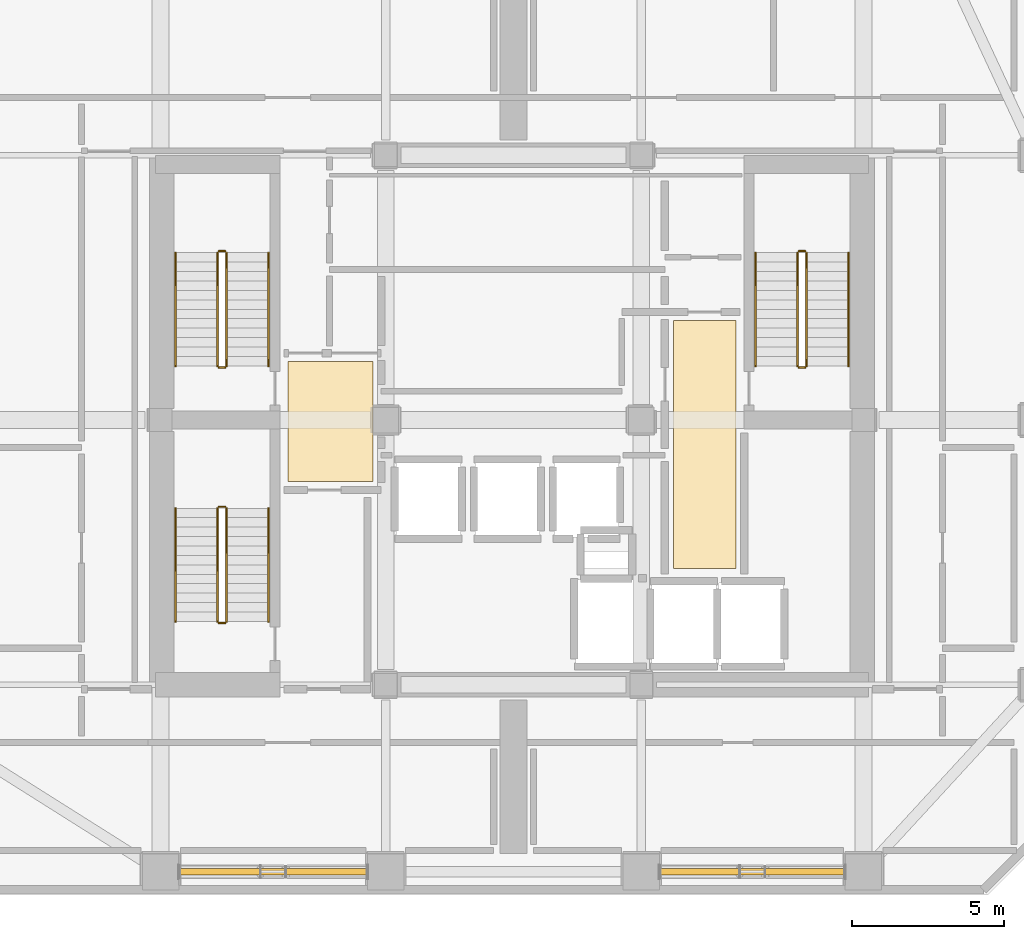
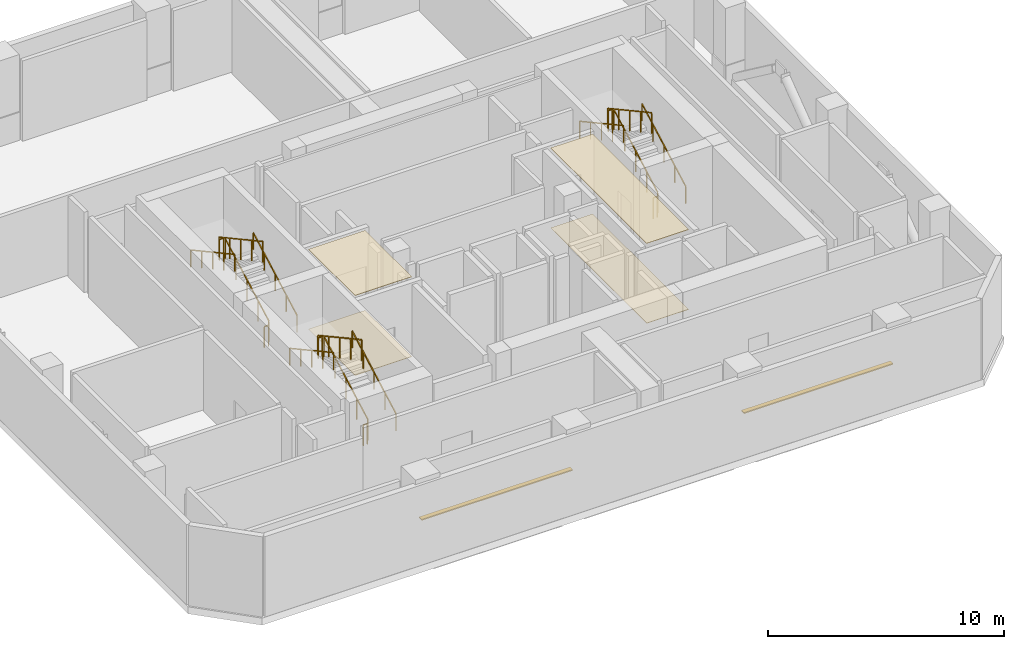
# One storey, part 12 of 12: 18 railings, 4 coverings, 2 shading devices.
"""IFC4 building model written with IfcOpenShell, lengths in metres."""

from ifc_helpers import new_model, si_unit, direction, frame, origin, origin_2d, place, context, subcontext, project, spatial, polyline, rectangle, outline, extrude, material, layer, layer_set, type_object, element, save


model = new_model("IFC4")

# Units and contexts
model_context = context("Model", 3, precision=1e-05, world=origin(), true_north=direction((0.0, 1.0)))
body_context = subcontext(model_context, "Body", "Model", "MODEL_VIEW")
ifc_project = project(units=[si_unit("LENGTHUNIT", "METRE"), si_unit("AREAUNIT", "SQUARE_METRE"), si_unit("VOLUMEUNIT", "CUBIC_METRE"), si_unit("PLANEANGLEUNIT", "RADIAN"), si_unit("MASSUNIT", "GRAM", prefix="KILO")], contexts=[model_context])

# Site, building, storey
site_placement = place(None, origin())
site = spatial("IfcSite", under=ifc_project, at=site_placement, CompositionType="ELEMENT")
building_placement = place(site_placement, origin())
building = spatial("IfcBuilding", under=site, at=building_placement, Name="Solanera Arch Residences", CompositionType="ELEMENT")
storey_placement = place(building_placement, frame((0.0, 0.0, 172.47998046875)))
storey = spatial("IfcBuildingStorey", under=building, at=storey_placement, Name="L50", CompositionType="ELEMENT", Elevation=172.47998046875)

# Coverings
ifc_material_1 = material(Name="Porcelain Acoustic Floor Tile", Category="ceramic")
ifc_layer_1 = layer(ifc_material_1, 0.02001953125)
ifc_layer_set_1 = layer_set([ifc_layer_1], Name="Porcelain Acoustic Floor Tile")
covering_type_1 = type_object("IfcCoveringType", Name="Porcelain Acoustic Floor Finish FLR-20", PredefinedType="FLOORING", material=ifc_layer_set_1)
covering_1_placement = place(storey_placement, origin())
element("IfcCovering", 1, at=covering_1_placement, inside=storey, type_object=covering_type_1, Name="L50-FFL-W Porcelain Floor Finish", PredefinedType="FLOORING", context=body_context, shape_type="SweptSolid", body=[
    extrude(outline(polyline([(20.375, 28.675048828125), (17.594970703125, 28.675048828125), (17.594970703125, 32.625), (20.375, 32.625), (20.375, 28.675048828125)])), origin(), (0.0, 0.0, 1.0), 0.02001953125),
])
covering_2_placement = place(storey_placement, origin())
element("IfcCovering", 2, at=covering_2_placement, inside=storey, type_object=covering_type_1, Name="L50-FFL-E Porcelain Floor Finish", PredefinedType="FLOORING", context=body_context, shape_type="SweptSolid", body=[
    extrude(outline(polyline([(32.304931640625, 25.824951171875), (30.25, 25.824951171875), (30.25, 33.97509765625), (32.304931640625, 33.97509765625), (32.304931640625, 25.824951171875)])), origin(), (0.0, 0.0, 1.0), 0.02001953125),
])

# Railings
ifc_material_2 = material(Name="Steel S355 (ASTM A992 / A572 Grade 50)", Category="steel")
railing_type_1 = type_object("IfcRailingType", Name="Stair Guardrail GR-1100", PredefinedType="GUARDRAIL", material=ifc_material_2)
railing_1_placement = place(storey_placement, frame((15.570068359375, 32.47998046875, 0.154296875)))
element("IfcRailing", 3, at=railing_1_placement, inside=storey, type_object=railing_type_1, Name="L50 ST-T1 stair guard 1", PredefinedType="GUARDRAIL", context=body_context, shape_type="SweptSolid", body=[
    extrude(rectangle(XDim=0.048095703125, YDim=0.048095703125, at=origin_2d()), frame((0.0, 0.0, 1.076171875), z_axis=(0.0, 0.877728207833, 0.479158839191), x_axis=(-1.0, 0.0, 0.0)), (0.0, 0.0, 1.0), 4.23828125),
    extrude(rectangle(XDim=0.0419921875, YDim=0.0419921875, at=origin_2d()), origin(), (0.0, 0.0, 1.0), 1.052001953125),
    extrude(rectangle(XDim=0.0419921875, YDim=0.0419921875, at=origin_2d()), frame((0.0, 0.929931640625, 0.5078125)), (0.0, 0.0, 1.0), 1.052001953125),
    extrude(rectangle(XDim=0.0419921875, YDim=0.0419921875, at=origin_2d()), frame((0.0, 1.85986328125, 1.015380859375)), (0.0, 0.0, 1.0), 1.052001953125),
    extrude(rectangle(XDim=0.0419921875, YDim=0.0419921875, at=origin_2d()), frame((0.0, 2.7900390625, 1.52294921875)), (0.0, 0.0, 1.0), 1.052001953125),
    extrude(rectangle(XDim=0.0419921875, YDim=0.0419921875, at=origin_2d()), frame((0.0, 3.719970703125, 2.03076171875)), (0.0, 0.0, 1.0), 1.052001953125),
])
railing_2_placement = place(storey_placement, frame((15.52001953125, 36.25, 2.18505859375)))
element("IfcRailing", 4, at=railing_2_placement, inside=storey, type_object=railing_type_1, Name="L50 ST-T1 stair guard 2", PredefinedType="GUARDRAIL", context=body_context, shape_type="SweptSolid", body=[
    extrude(rectangle(XDim=0.048095703125, YDim=0.048095703125, at=origin_2d()), frame((0.0, 0.0, 1.076171875), z_axis=(-1.0, 0.0, 0.0), x_axis=(0.0, -1.0, 0.0)), (0.0, 0.0, 1.0), 0.199951171875),
    extrude(rectangle(XDim=0.0419921875, YDim=0.0419921875, at=origin_2d()), origin(), (0.0, 0.0, 1.0), 1.052001953125),
    extrude(rectangle(XDim=0.0419921875, YDim=0.0419921875, at=origin_2d()), frame((-0.199951171875, 0.0, 0.0)), (0.0, 0.0, 1.0), 1.052001953125),
])
railing_3_placement = place(storey_placement, frame((15.27001953125, 36.199951171875, 2.354248046875)))
element("IfcRailing", 5, at=railing_3_placement, inside=storey, type_object=railing_type_1, Name="L50 ST-T1 stair guard 3", PredefinedType="GUARDRAIL", context=body_context, shape_type="SweptSolid", body=[
    extrude(rectangle(XDim=0.048095703125, YDim=0.048095703125, at=origin_2d()), frame((0.0, 0.0, 1.076171875), z_axis=(0.0, -0.877728207833, 0.479158839191), x_axis=(1.0, 0.0, 0.0)), (0.0, 0.0, 1.0), 4.23828125),
    extrude(rectangle(XDim=0.0419921875, YDim=0.0419921875, at=origin_2d()), origin(), (0.0, 0.0, 1.0), 1.052001953125),
    extrude(rectangle(XDim=0.0419921875, YDim=0.0419921875, at=origin_2d()), frame((0.0, -0.929931640625, 0.5078125)), (0.0, 0.0, 1.0), 1.052001953125),
    extrude(rectangle(XDim=0.0419921875, YDim=0.0419921875, at=origin_2d()), frame((0.0, -1.85986328125, 1.015380859375)), (0.0, 0.0, 1.0), 1.052001953125),
    extrude(rectangle(XDim=0.0419921875, YDim=0.0419921875, at=origin_2d()), frame((0.0, -2.7900390625, 1.52294921875)), (0.0, 0.0, 1.0), 1.052001953125),
    extrude(rectangle(XDim=0.0419921875, YDim=0.0419921875, at=origin_2d()), frame((0.0, -3.719970703125, 2.03076171875)), (0.0, 0.0, 1.0), 1.052001953125),
])
railing_4_placement = place(storey_placement, frame((15.52001953125, 32.429931640625, -0.014892578125)))
element("IfcRailing", 6, at=railing_4_placement, inside=storey, type_object=railing_type_1, Name="L50 ST-T1 stair guard 4", PredefinedType="GUARDRAIL", context=body_context, shape_type="SweptSolid", body=[
    extrude(rectangle(XDim=0.048095703125, YDim=0.048095703125, at=origin_2d()), frame((0.0, 0.0, 1.076171875), z_axis=(-1.0, 0.0, 0.0), x_axis=(0.0, -1.0, 0.0)), (0.0, 0.0, 1.0), 0.199951171875),
    extrude(rectangle(XDim=0.0419921875, YDim=0.0419921875, at=origin_2d()), origin(), (0.0, 0.0, 1.0), 1.052001953125),
    extrude(rectangle(XDim=0.0419921875, YDim=0.0419921875, at=origin_2d()), frame((-0.199951171875, 0.0, 0.0)), (0.0, 0.0, 1.0), 1.052001953125),
])
railing_5_placement = place(storey_placement, frame((34.6298828125, 32.47998046875, 0.154296875)))
element("IfcRailing", 7, at=railing_5_placement, inside=storey, type_object=railing_type_1, Name="L50 ST-T2 stair guard 1", PredefinedType="GUARDRAIL", context=body_context, shape_type="SweptSolid", body=[
    extrude(rectangle(XDim=0.048095703125, YDim=0.048095703125, at=origin_2d()), frame((0.0, 0.0, 1.076171875), z_axis=(0.0, 0.877728207833, 0.479158839191), x_axis=(-1.0, 0.0, 0.0)), (0.0, 0.0, 1.0), 4.23828125),
    extrude(rectangle(XDim=0.0419921875, YDim=0.0419921875, at=origin_2d()), origin(), (0.0, 0.0, 1.0), 1.052001953125),
    extrude(rectangle(XDim=0.0419921875, YDim=0.0419921875, at=origin_2d()), frame((0.0, 0.929931640625, 0.5078125)), (0.0, 0.0, 1.0), 1.052001953125),
    extrude(rectangle(XDim=0.0419921875, YDim=0.0419921875, at=origin_2d()), frame((0.0, 1.85986328125, 1.015380859375)), (0.0, 0.0, 1.0), 1.052001953125),
    extrude(rectangle(XDim=0.0419921875, YDim=0.0419921875, at=origin_2d()), frame((0.0, 2.7900390625, 1.52294921875)), (0.0, 0.0, 1.0), 1.052001953125),
    extrude(rectangle(XDim=0.0419921875, YDim=0.0419921875, at=origin_2d()), frame((0.0, 3.719970703125, 2.03076171875)), (0.0, 0.0, 1.0), 1.052001953125),
])
railing_6_placement = place(storey_placement, frame((34.580078125, 36.25, 2.18505859375)))
element("IfcRailing", 8, at=railing_6_placement, inside=storey, type_object=railing_type_1, Name="L50 ST-T2 stair guard 2", PredefinedType="GUARDRAIL", context=body_context, shape_type="SweptSolid", body=[
    extrude(rectangle(XDim=0.048095703125, YDim=0.048095703125, at=origin_2d()), frame((0.0, 0.0, 1.076171875), z_axis=(-1.0, 0.0, 0.0), x_axis=(0.0, -1.0, 0.0)), (0.0, 0.0, 1.0), 0.2001953125),
    extrude(rectangle(XDim=0.0419921875, YDim=0.0419921875, at=origin_2d()), origin(), (0.0, 0.0, 1.0), 1.052001953125),
    extrude(rectangle(XDim=0.0419921875, YDim=0.0419921875, at=origin_2d()), frame((-0.2001953125, 0.0, 0.0)), (0.0, 0.0, 1.0), 1.052001953125),
])
railing_7_placement = place(storey_placement, frame((34.330078125, 36.199951171875, 2.354248046875)))
element("IfcRailing", 9, at=railing_7_placement, inside=storey, type_object=railing_type_1, Name="L50 ST-T2 stair guard 3", PredefinedType="GUARDRAIL", context=body_context, shape_type="SweptSolid", body=[
    extrude(rectangle(XDim=0.048095703125, YDim=0.048095703125, at=origin_2d()), frame((0.0, 0.0, 1.076171875), z_axis=(0.0, -0.877728207833, 0.479158839191), x_axis=(1.0, 0.0, 0.0)), (0.0, 0.0, 1.0), 4.23828125),
    extrude(rectangle(XDim=0.0419921875, YDim=0.0419921875, at=origin_2d()), origin(), (0.0, 0.0, 1.0), 1.052001953125),
    extrude(rectangle(XDim=0.0419921875, YDim=0.0419921875, at=origin_2d()), frame((0.0, -0.929931640625, 0.5078125)), (0.0, 0.0, 1.0), 1.052001953125),
    extrude(rectangle(XDim=0.0419921875, YDim=0.0419921875, at=origin_2d()), frame((0.0, -1.85986328125, 1.015380859375)), (0.0, 0.0, 1.0), 1.052001953125),
    extrude(rectangle(XDim=0.0419921875, YDim=0.0419921875, at=origin_2d()), frame((0.0, -2.7900390625, 1.52294921875)), (0.0, 0.0, 1.0), 1.052001953125),
    extrude(rectangle(XDim=0.0419921875, YDim=0.0419921875, at=origin_2d()), frame((0.0, -3.719970703125, 2.03076171875)), (0.0, 0.0, 1.0), 1.052001953125),
])
railing_8_placement = place(storey_placement, frame((34.580078125, 32.429931640625, -0.014892578125)))
element("IfcRailing", 10, at=railing_8_placement, inside=storey, type_object=railing_type_1, Name="L50 ST-T2 stair guard 4", PredefinedType="GUARDRAIL", context=body_context, shape_type="SweptSolid", body=[
    extrude(rectangle(XDim=0.048095703125, YDim=0.048095703125, at=origin_2d()), frame((0.0, 0.0, 1.076171875), z_axis=(-1.0, 0.0, 0.0), x_axis=(0.0, -1.0, 0.0)), (0.0, 0.0, 1.0), 0.2001953125),
    extrude(rectangle(XDim=0.0419921875, YDim=0.0419921875, at=origin_2d()), origin(), (0.0, 0.0, 1.0), 1.052001953125),
    extrude(rectangle(XDim=0.0419921875, YDim=0.0419921875, at=origin_2d()), frame((-0.2001953125, 0.0, 0.0)), (0.0, 0.0, 1.0), 1.052001953125),
])
railing_9_placement = place(storey_placement, frame((15.570068359375, 24.080078125, 0.154296875)))
element("IfcRailing", 11, at=railing_9_placement, inside=storey, type_object=railing_type_1, Name="L50 ST-T3 stair guard 1", PredefinedType="GUARDRAIL", context=body_context, shape_type="SweptSolid", body=[
    extrude(rectangle(XDim=0.048095703125, YDim=0.048095703125, at=origin_2d()), frame((0.0, 0.0, 1.076171875), z_axis=(0.0, 0.877728207833, 0.479158839191), x_axis=(-1.0, 0.0, 0.0)), (0.0, 0.0, 1.0), 4.23828125),
    extrude(rectangle(XDim=0.0419921875, YDim=0.0419921875, at=origin_2d()), origin(), (0.0, 0.0, 1.0), 1.052001953125),
    extrude(rectangle(XDim=0.0419921875, YDim=0.0419921875, at=origin_2d()), frame((0.0, 0.929931640625, 0.5078125)), (0.0, 0.0, 1.0), 1.052001953125),
    extrude(rectangle(XDim=0.0419921875, YDim=0.0419921875, at=origin_2d()), frame((0.0, 1.85986328125, 1.015380859375)), (0.0, 0.0, 1.0), 1.052001953125),
    extrude(rectangle(XDim=0.0419921875, YDim=0.0419921875, at=origin_2d()), frame((0.0, 2.7900390625, 1.52294921875)), (0.0, 0.0, 1.0), 1.052001953125),
    extrude(rectangle(XDim=0.0419921875, YDim=0.0419921875, at=origin_2d()), frame((0.0, 3.719970703125, 2.03076171875)), (0.0, 0.0, 1.0), 1.052001953125),
])
railing_10_placement = place(storey_placement, frame((15.52001953125, 27.85009765625, 2.18505859375)))
element("IfcRailing", 12, at=railing_10_placement, inside=storey, type_object=railing_type_1, Name="L50 ST-T3 stair guard 2", PredefinedType="GUARDRAIL", context=body_context, shape_type="SweptSolid", body=[
    extrude(rectangle(XDim=0.048095703125, YDim=0.048095703125, at=origin_2d()), frame((0.0, 0.0, 1.076171875), z_axis=(-1.0, 0.0, 0.0), x_axis=(0.0, -1.0, 0.0)), (0.0, 0.0, 1.0), 0.199951171875),
    extrude(rectangle(XDim=0.0419921875, YDim=0.0419921875, at=origin_2d()), origin(), (0.0, 0.0, 1.0), 1.052001953125),
    extrude(rectangle(XDim=0.0419921875, YDim=0.0419921875, at=origin_2d()), frame((-0.199951171875, 0.0, 0.0)), (0.0, 0.0, 1.0), 1.052001953125),
])
railing_11_placement = place(storey_placement, frame((15.27001953125, 27.800048828125, 2.354248046875)))
element("IfcRailing", 13, at=railing_11_placement, inside=storey, type_object=railing_type_1, Name="L50 ST-T3 stair guard 3", PredefinedType="GUARDRAIL", context=body_context, shape_type="SweptSolid", body=[
    extrude(rectangle(XDim=0.048095703125, YDim=0.048095703125, at=origin_2d()), frame((0.0, 0.0, 1.076171875), z_axis=(0.0, -0.877728207833, 0.479158839191), x_axis=(1.0, 0.0, 0.0)), (0.0, 0.0, 1.0), 4.23828125),
    extrude(rectangle(XDim=0.0419921875, YDim=0.0419921875, at=origin_2d()), origin(), (0.0, 0.0, 1.0), 1.052001953125),
    extrude(rectangle(XDim=0.0419921875, YDim=0.0419921875, at=origin_2d()), frame((0.0, -0.929931640625, 0.5078125)), (0.0, 0.0, 1.0), 1.052001953125),
    extrude(rectangle(XDim=0.0419921875, YDim=0.0419921875, at=origin_2d()), frame((0.0, -1.85986328125, 1.015380859375)), (0.0, 0.0, 1.0), 1.052001953125),
    extrude(rectangle(XDim=0.0419921875, YDim=0.0419921875, at=origin_2d()), frame((0.0, -2.7900390625, 1.52294921875)), (0.0, 0.0, 1.0), 1.052001953125),
    extrude(rectangle(XDim=0.0419921875, YDim=0.0419921875, at=origin_2d()), frame((0.0, -3.719970703125, 2.03076171875)), (0.0, 0.0, 1.0), 1.052001953125),
])
railing_12_placement = place(storey_placement, frame((15.52001953125, 24.030029296875, -0.014892578125)))
element("IfcRailing", 14, at=railing_12_placement, inside=storey, type_object=railing_type_1, Name="L50 ST-T3 stair guard 4", PredefinedType="GUARDRAIL", context=body_context, shape_type="SweptSolid", body=[
    extrude(rectangle(XDim=0.048095703125, YDim=0.048095703125, at=origin_2d()), frame((0.0, 0.0, 1.076171875), z_axis=(-1.0, 0.0, 0.0), x_axis=(0.0, -1.0, 0.0)), (0.0, 0.0, 1.0), 0.199951171875),
    extrude(rectangle(XDim=0.0419921875, YDim=0.0419921875, at=origin_2d()), origin(), (0.0, 0.0, 1.0), 1.052001953125),
    extrude(rectangle(XDim=0.0419921875, YDim=0.0419921875, at=origin_2d()), frame((-0.199951171875, 0.0, 0.0)), (0.0, 0.0, 1.0), 1.052001953125),
])
ifc_material_3 = material(Name="Steel S355 (ASTM A992 / A572 Grade 50)", Category="steel")
railing_type_2 = type_object("IfcRailingType", Name="Stair Wall Handrail HR-920", PredefinedType="HANDRAIL", material=ifc_material_3)
railing_13_placement = place(storey_placement, frame((16.949951171875, 32.47998046875, 0.169189453125)))
element("IfcRailing", 15, at=railing_13_placement, inside=storey, type_object=railing_type_2, Name="L50 ST-T1 stair handrail 1", PredefinedType="HANDRAIL", context=body_context, shape_type="SweptSolid", body=[
    extrude(rectangle(XDim=0.048095703125, YDim=0.048095703125, at=origin_2d()), frame((0.0, 0.0, 0.8759765625), z_axis=(0.0, 0.877728207833, 0.479158839191), x_axis=(-1.0, 0.0, 0.0)), (0.0, 0.0, 1.0), 4.23828125),
    extrude(rectangle(XDim=0.0419921875, YDim=0.0419921875, at=origin_2d()), origin(), (0.0, 0.0, 1.0), 0.851806640625),
    extrude(rectangle(XDim=0.0419921875, YDim=0.0419921875, at=origin_2d()), frame((0.0, 0.929931640625, 0.5078125)), (0.0, 0.0, 1.0), 0.851806640625),
    extrude(rectangle(XDim=0.0419921875, YDim=0.0419921875, at=origin_2d()), frame((0.0, 1.85986328125, 1.015380859375)), (0.0, 0.0, 1.0), 0.851806640625),
    extrude(rectangle(XDim=0.0419921875, YDim=0.0419921875, at=origin_2d()), frame((0.0, 2.7900390625, 1.52294921875)), (0.0, 0.0, 1.0), 0.851806640625),
    extrude(rectangle(XDim=0.0419921875, YDim=0.0419921875, at=origin_2d()), frame((0.0, 3.719970703125, 2.03076171875)), (0.0, 0.0, 1.0), 0.851806640625),
])
railing_14_placement = place(storey_placement, frame((13.889892578125, 36.199951171875, 2.369140625)))
element("IfcRailing", 16, at=railing_14_placement, inside=storey, type_object=railing_type_2, Name="L50 ST-T1 stair handrail 2", PredefinedType="HANDRAIL", context=body_context, shape_type="SweptSolid", body=[
    extrude(rectangle(XDim=0.048095703125, YDim=0.048095703125, at=origin_2d()), frame((0.0, 0.0, 0.8759765625), z_axis=(0.0, -0.877728207833, 0.479158839191), x_axis=(1.0, 0.0, 0.0)), (0.0, 0.0, 1.0), 4.23828125),
    extrude(rectangle(XDim=0.0419921875, YDim=0.0419921875, at=origin_2d()), origin(), (0.0, 0.0, 1.0), 0.851806640625),
    extrude(rectangle(XDim=0.0419921875, YDim=0.0419921875, at=origin_2d()), frame((0.0, -0.929931640625, 0.5078125)), (0.0, 0.0, 1.0), 0.851806640625),
    extrude(rectangle(XDim=0.0419921875, YDim=0.0419921875, at=origin_2d()), frame((0.0, -1.85986328125, 1.015380859375)), (0.0, 0.0, 1.0), 0.851806640625),
    extrude(rectangle(XDim=0.0419921875, YDim=0.0419921875, at=origin_2d()), frame((0.0, -2.7900390625, 1.52294921875)), (0.0, 0.0, 1.0), 0.851806640625),
    extrude(rectangle(XDim=0.0419921875, YDim=0.0419921875, at=origin_2d()), frame((0.0, -3.719970703125, 2.03076171875)), (0.0, 0.0, 1.0), 0.851806640625),
])
railing_15_placement = place(storey_placement, frame((36.010009765625, 32.47998046875, 0.169189453125)))
element("IfcRailing", 17, at=railing_15_placement, inside=storey, type_object=railing_type_2, Name="L50 ST-T2 stair handrail 1", PredefinedType="HANDRAIL", context=body_context, shape_type="SweptSolid", body=[
    extrude(rectangle(XDim=0.048095703125, YDim=0.048095703125, at=origin_2d()), frame((0.0, 0.0, 0.8759765625), z_axis=(0.0, 0.877728207833, 0.479158839191), x_axis=(-1.0, 0.0, 0.0)), (0.0, 0.0, 1.0), 4.23828125),
    extrude(rectangle(XDim=0.0419921875, YDim=0.0419921875, at=origin_2d()), origin(), (0.0, 0.0, 1.0), 0.851806640625),
    extrude(rectangle(XDim=0.0419921875, YDim=0.0419921875, at=origin_2d()), frame((0.0, 0.929931640625, 0.5078125)), (0.0, 0.0, 1.0), 0.851806640625),
    extrude(rectangle(XDim=0.0419921875, YDim=0.0419921875, at=origin_2d()), frame((0.0, 1.85986328125, 1.015380859375)), (0.0, 0.0, 1.0), 0.851806640625),
    extrude(rectangle(XDim=0.0419921875, YDim=0.0419921875, at=origin_2d()), frame((0.0, 2.7900390625, 1.52294921875)), (0.0, 0.0, 1.0), 0.851806640625),
    extrude(rectangle(XDim=0.0419921875, YDim=0.0419921875, at=origin_2d()), frame((0.0, 3.719970703125, 2.03076171875)), (0.0, 0.0, 1.0), 0.851806640625),
])
railing_16_placement = place(storey_placement, frame((32.949951171875, 36.199951171875, 2.369140625)))
element("IfcRailing", 18, at=railing_16_placement, inside=storey, type_object=railing_type_2, Name="L50 ST-T2 stair handrail 2", PredefinedType="HANDRAIL", context=body_context, shape_type="SweptSolid", body=[
    extrude(rectangle(XDim=0.048095703125, YDim=0.048095703125, at=origin_2d()), frame((0.0, 0.0, 0.8759765625), z_axis=(0.0, -0.877728207833, 0.479158839191), x_axis=(1.0, 0.0, 0.0)), (0.0, 0.0, 1.0), 4.23828125),
    extrude(rectangle(XDim=0.0419921875, YDim=0.0419921875, at=origin_2d()), origin(), (0.0, 0.0, 1.0), 0.851806640625),
    extrude(rectangle(XDim=0.0419921875, YDim=0.0419921875, at=origin_2d()), frame((0.0, -0.929931640625, 0.5078125)), (0.0, 0.0, 1.0), 0.851806640625),
    extrude(rectangle(XDim=0.0419921875, YDim=0.0419921875, at=origin_2d()), frame((0.0, -1.85986328125, 1.015380859375)), (0.0, 0.0, 1.0), 0.851806640625),
    extrude(rectangle(XDim=0.0419921875, YDim=0.0419921875, at=origin_2d()), frame((0.0, -2.7900390625, 1.52294921875)), (0.0, 0.0, 1.0), 0.851806640625),
    extrude(rectangle(XDim=0.0419921875, YDim=0.0419921875, at=origin_2d()), frame((0.0, -3.719970703125, 2.03076171875)), (0.0, 0.0, 1.0), 0.851806640625),
])
railing_17_placement = place(storey_placement, frame((16.949951171875, 24.080078125, 0.169189453125)))
element("IfcRailing", 19, at=railing_17_placement, inside=storey, type_object=railing_type_2, Name="L50 ST-T3 stair handrail 1", PredefinedType="HANDRAIL", context=body_context, shape_type="SweptSolid", body=[
    extrude(rectangle(XDim=0.048095703125, YDim=0.048095703125, at=origin_2d()), frame((0.0, 0.0, 0.8759765625), z_axis=(0.0, 0.877728207833, 0.479158839191), x_axis=(-1.0, 0.0, 0.0)), (0.0, 0.0, 1.0), 4.23828125),
    extrude(rectangle(XDim=0.0419921875, YDim=0.0419921875, at=origin_2d()), origin(), (0.0, 0.0, 1.0), 0.851806640625),
    extrude(rectangle(XDim=0.0419921875, YDim=0.0419921875, at=origin_2d()), frame((0.0, 0.929931640625, 0.5078125)), (0.0, 0.0, 1.0), 0.851806640625),
    extrude(rectangle(XDim=0.0419921875, YDim=0.0419921875, at=origin_2d()), frame((0.0, 1.85986328125, 1.015380859375)), (0.0, 0.0, 1.0), 0.851806640625),
    extrude(rectangle(XDim=0.0419921875, YDim=0.0419921875, at=origin_2d()), frame((0.0, 2.7900390625, 1.52294921875)), (0.0, 0.0, 1.0), 0.851806640625),
    extrude(rectangle(XDim=0.0419921875, YDim=0.0419921875, at=origin_2d()), frame((0.0, 3.719970703125, 2.03076171875)), (0.0, 0.0, 1.0), 0.851806640625),
])
railing_18_placement = place(storey_placement, frame((13.889892578125, 27.800048828125, 2.369140625)))
element("IfcRailing", 20, at=railing_18_placement, inside=storey, type_object=railing_type_2, Name="L50 ST-T3 stair handrail 2", PredefinedType="HANDRAIL", context=body_context, shape_type="SweptSolid", body=[
    extrude(rectangle(XDim=0.048095703125, YDim=0.048095703125, at=origin_2d()), frame((0.0, 0.0, 0.8759765625), z_axis=(0.0, -0.877728207833, 0.479158839191), x_axis=(1.0, 0.0, 0.0)), (0.0, 0.0, 1.0), 4.23828125),
    extrude(rectangle(XDim=0.0419921875, YDim=0.0419921875, at=origin_2d()), origin(), (0.0, 0.0, 1.0), 0.851806640625),
    extrude(rectangle(XDim=0.0419921875, YDim=0.0419921875, at=origin_2d()), frame((0.0, -0.929931640625, 0.5078125)), (0.0, 0.0, 1.0), 0.851806640625),
    extrude(rectangle(XDim=0.0419921875, YDim=0.0419921875, at=origin_2d()), frame((0.0, -1.85986328125, 1.015380859375)), (0.0, 0.0, 1.0), 0.851806640625),
    extrude(rectangle(XDim=0.0419921875, YDim=0.0419921875, at=origin_2d()), frame((0.0, -2.7900390625, 1.52294921875)), (0.0, 0.0, 1.0), 0.851806640625),
    extrude(rectangle(XDim=0.0419921875, YDim=0.0419921875, at=origin_2d()), frame((0.0, -3.719970703125, 2.03076171875)), (0.0, 0.0, 1.0), 0.851806640625),
])

# Coverings
ifc_material_4 = material(Name="Mineral Fibre Acoustic Ceiling Board", Category="gypsum")
ifc_layer_2 = layer(ifc_material_4, 0.02490234375)
ifc_layer_set_2 = layer_set([ifc_layer_2], Name="Mineral Fibre Acoustic Ceiling Board")
covering_type_2 = type_object("IfcCoveringType", Name="Suspended Acoustic Ceiling Board CLG-25", PredefinedType="CEILING", material=ifc_layer_set_2)
covering_3_placement = place(storey_placement, frame((0.0, 0.0, 4.135009765625)))
element("IfcCovering", 21, at=covering_3_placement, inside=storey, type_object=covering_type_2, Name="L50-FFL-W Acoustic Ceiling", PredefinedType="CEILING", context=body_context, shape_type="SweptSolid", body=[
    extrude(outline(polyline([(20.375, 28.675048828125), (17.594970703125, 28.675048828125), (17.594970703125, 32.625), (20.375, 32.625), (20.375, 28.675048828125)])), origin(), (0.0, 0.0, 1.0), 0.02490234375),
])
covering_4_placement = place(storey_placement, frame((0.0, 0.0, 4.135009765625)))
element("IfcCovering", 22, at=covering_4_placement, inside=storey, type_object=covering_type_2, Name="L50-FFL-E Acoustic Ceiling", PredefinedType="CEILING", context=body_context, shape_type="SweptSolid", body=[
    extrude(outline(polyline([(32.304931640625, 25.824951171875), (30.25, 25.824951171875), (30.25, 33.97509765625), (32.304931640625, 33.97509765625), (32.304931640625, 25.824951171875)])), origin(), (0.0, 0.0, 1.0), 0.02490234375),
])

# Shading devices
ifc_material_5 = material(Name="Anodised Aluminium Alloy 6063-T6", Category="aluminium")
shading_device_type = type_object("IfcShadingDeviceType", Name="Aluminium Acoustic Brise-Soleil Louvre LV-200", PredefinedType="JALOUSIE", material=ifc_material_5)
shading_device_1_placement = place(storey_placement, frame((17.10009765625, 15.85009765625, 1.800048828125)))
element("IfcShadingDevice", 23, at=shading_device_1_placement, inside=storey, type_object=shading_device_type, material=ifc_material_5, Name="L50 Outrigger Acoustic Louvre Screen 3", PredefinedType="JALOUSIE", context=body_context, shape_type="SweptSolid", body=[
    extrude(rectangle(XDim=7.4, YDim=0.22, at=origin_2d()), origin(), (0.0, 0.0, 1.0), 0.06),
])
shading_device_2_placement = place(storey_placement, frame((32.85009765625, 15.85009765625, 1.800048828125)))
element("IfcShadingDevice", 24, at=shading_device_2_placement, inside=storey, type_object=shading_device_type, material=ifc_material_5, Name="L50 Outrigger Acoustic Louvre Screen 4", PredefinedType="JALOUSIE", context=body_context, shape_type="SweptSolid", body=[
    extrude(rectangle(XDim=7.300000000000001, YDim=0.22, at=origin_2d()), origin(), (0.0, 0.0, 1.0), 0.06),
])

save(model, "model.ifc")
